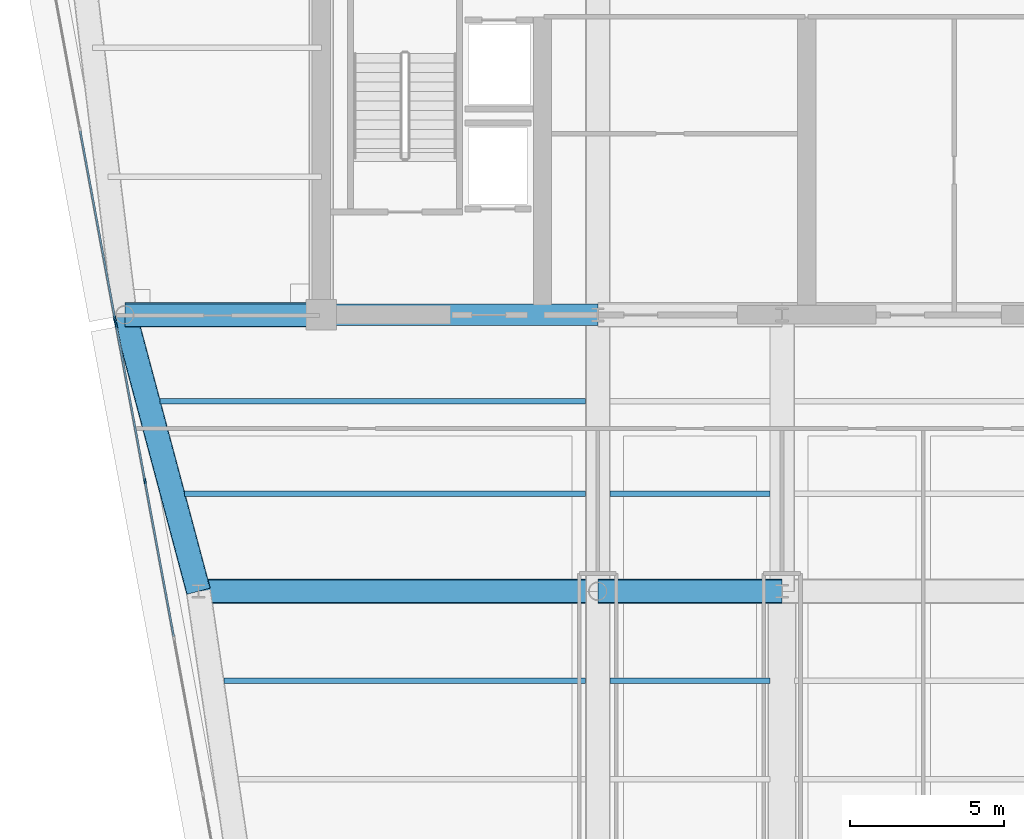
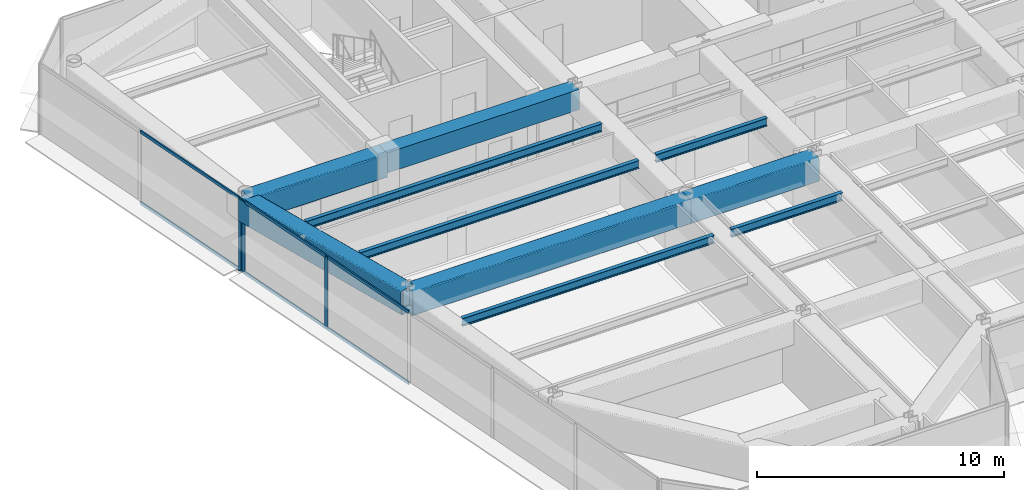
# One storey, part 4 of 17: 10 beams, 9 members, 2 elements without a shape of their own.
"""IFC4 building model written with IfcOpenShell, lengths in metres."""

from ifc_helpers import new_model, si_unit, direction, frame, origin, origin_2d, place, context, subcontext, project, spatial, rectangle, hollow_rectangle, i_section, extrude, source, transform, mapped, material, layer, layer_set, material_profile, profile_set, type_object, element, aggregate, save


model = new_model("IFC4")

# Units and contexts
model_context = context("Model", 3, precision=1e-05, world=origin(), true_north=direction((0.0, 1.0)))
body_context = subcontext(model_context, "Body", "Model", "MODEL_VIEW")
ifc_project = project(units=[si_unit("LENGTHUNIT", "METRE"), si_unit("AREAUNIT", "SQUARE_METRE"), si_unit("VOLUMEUNIT", "CUBIC_METRE"), si_unit("PLANEANGLEUNIT", "RADIAN"), si_unit("MASSUNIT", "GRAM", prefix="KILO")], contexts=[model_context])

# Site, building, storey
site_placement = place(None, origin())
site = spatial("IfcSite", under=ifc_project, at=site_placement, CompositionType="ELEMENT")
building_placement = place(site_placement, origin())
building = spatial("IfcBuilding", under=site, at=building_placement, Name="Vaeldorn Concourse Tower", CompositionType="ELEMENT")
storey_placement = place(building_placement, frame((0.0, 0.0, 234.60009765625)))
storey = spatial("IfcBuildingStorey", under=building, at=storey_placement, Name="L60", CompositionType="ELEMENT", Elevation=234.60009765625)

# Beams
ifc_material_1 = material(Name="Concrete C50/60", Category="concrete")
ifc_material_profile_1 = material_profile(ifc_material_1, rectangle(XDim=0.699951171875, YDim=1.0, at=origin_2d()), Name="RC 700x1000")
ifc_profile_set_1 = profile_set([ifc_material_profile_1], Name="Concrete C50/60")
beam_type_1 = type_object("IfcBeamType", Name="BM-CB-RC700", PredefinedType="BEAM", material=ifc_profile_set_1)
shared_shape_1 = source(origin(), body_context, "Body", "SweptSolid", [
    extrude(rectangle(XDim=0.699951171875, YDim=1.0, at=origin_2d()), origin(), (0.0, 0.0, 1.0), 9.0),
])
beam_1_placement = place(storey_placement, frame((14.0, 36.5, 3.079833984375), z_axis=(1.0, 0.0, 0.0), x_axis=(0.0, 1.0, 0.0)))
element("IfcBeam", 1, at=beam_1_placement, inside=storey, type_object=beam_type_1, Name="Core Coupling Beam L60-1", PredefinedType="BEAM", context=body_context, shape_type="MappedRepresentation", body=[
    mapped(shared_shape_1, transform((0.0, 0.0, 0.0), scale=1.0)),
])
ifc_material_2 = material(Name="Steel S460", Category="steel")
ifc_material_profile_2 = material_profile(ifc_material_2, hollow_rectangle(XDim=0.800048828125, YDim=1.199951171875, WallThickness=0.044921875, InnerFilletRadius=0.044921875, OuterFilletRadius=0.090087890625, at=origin_2d()), Name="RHS 1200x800x45")
ifc_profile_set_2 = profile_set([ifc_material_profile_2], Name="Steel S460")
beam_type_2 = type_object("IfcBeamType", Name="BM-TG-RHS1200", PredefinedType="BEAM", material=ifc_profile_set_2)
shared_shape_2 = source(origin(), body_context, "Body", "SweptSolid", [
    extrude(hollow_rectangle(XDim=0.800048828125, YDim=1.199951171875, WallThickness=0.044921875, InnerFilletRadius=0.044921875, OuterFilletRadius=0.090087890625, at=origin_2d()), origin(), (0.0, 0.0, 1.0), 6.0),
])
beam_2_placement = place(storey_placement, frame((23.0, 27.5, 2.97998046875), z_axis=(1.0, 0.0, 0.0), x_axis=(0.0, 1.0, 0.0)))
element("IfcBeam", 2, at=beam_2_placement, inside=storey, type_object=beam_type_2, Name="Beam BM-L60-C-TW1-C-TW2", PredefinedType="BEAM", context=body_context, shape_type="MappedRepresentation", body=[
    mapped(shared_shape_2, transform((0.0, 0.0, 0.0), scale=1.0)),
])
shared_shape_3 = source(origin(), body_context, "Body", "SweptSolid", [
    extrude(hollow_rectangle(XDim=0.800048828125, YDim=1.199951171875, WallThickness=0.044921875, InnerFilletRadius=0.044921875, OuterFilletRadius=0.090087890625, at=origin_2d()), origin(), (0.0, 0.0, 1.0), 13.0),
])
beam_3_placement = place(storey_placement, frame((10.0, 27.5, 2.97998046875), z_axis=(1.0, 0.0, 0.0), x_axis=(0.0, 1.0, 0.0)))
element("IfcBeam", 3, at=beam_3_placement, inside=storey, type_object=beam_type_2, Name="Beam BM-L60-C-FLW1-C-TW1", PredefinedType="BEAM", context=body_context, shape_type="MappedRepresentation", body=[
    mapped(shared_shape_3, transform((0.0, 0.0, 0.0), scale=1.0)),
])
shared_shape_4 = source(origin(), body_context, "Body", "SweptSolid", [
    extrude(hollow_rectangle(XDim=0.800048828125, YDim=1.199951171875, WallThickness=0.044921875, InnerFilletRadius=0.044921875, OuterFilletRadius=0.090087890625, at=origin_2d()), origin(), (0.0, 0.0, 1.0), 6.39990234375),
])
beam_4_placement = place(storey_placement, frame((7.60009765625, 36.5, 2.97998046875), z_axis=(1.0, 0.0, 0.0), x_axis=(0.0, 1.0, 0.0)))
element("IfcBeam", 4, at=beam_4_placement, inside=storey, type_object=beam_type_2, Name="Beam BM-L60-C-NW2-C-FC1", PredefinedType="BEAM", context=body_context, shape_type="MappedRepresentation", body=[
    mapped(shared_shape_4, transform((0.0, 0.0, 0.0), scale=1.0)),
])
shared_shape_5 = source(origin(), body_context, "Body", "SweptSolid", [
    extrude(hollow_rectangle(XDim=0.800048828125, YDim=1.199951171875, WallThickness=0.044921875, InnerFilletRadius=0.044921875, OuterFilletRadius=0.090087890625, at=origin_2d()), origin(), (0.0, 0.0, 1.0), 9.314453125),
])
beam_5_placement = place(storey_placement, frame((7.60009765625, 36.5, 2.97998046875), z_axis=(0.257652862255, -0.966237549763, 0.0), x_axis=(0.966237549763, 0.257652862255, 0.0)))
element("IfcBeam", 5, at=beam_5_placement, inside=storey, type_object=beam_type_2, Name="Beam BM-L60-C-NW2-C-FLW1", PredefinedType="BEAM", context=body_context, shape_type="MappedRepresentation", body=[
    mapped(shared_shape_5, transform((0.0, 0.0, 0.0), scale=1.0)),
])
ifc_material_3 = material(Name="Steel S355", Category="steel")
ifc_material_profile_3 = material_profile(ifc_material_3, i_section(OverallWidth=0.179931640625, OverallDepth=0.39990234375, WebThickness=0.008544921875, FlangeThickness=0.013427734375, FilletRadius=0.02099609375, at=origin_2d()), Name="IPE 400")
ifc_profile_set_3 = profile_set([ifc_material_profile_3], Name="Steel S355")
beam_type_3 = type_object("IfcBeamType", Name="BM-JS-IPE400", PredefinedType="JOIST", material=ifc_profile_set_3)
shared_shape_6 = source(origin(), body_context, "Body", "SweptSolid", [
    extrude(i_section(OverallWidth=0.179931640625, OverallDepth=0.39990234375, WebThickness=0.008544921875, FlangeThickness=0.013427734375, FilletRadius=0.02099609375, at=origin_2d()), origin(), (0.0, 0.0, 1.0), 5.2001953125),
])
for number, where, z_axis, x_axis, name in (
    (6, (23.39990234375, 24.580078125, 3.3798828125), (1.0, 0.0, 0.0), (0.0, 1.0, 0.0), "Beam JS-L60-W2-245"),
    (7, (23.39990234375, 30.679931640625, 3.3798828125), (1.0, 0.0, 0.0), (0.0, 1.0, 0.0), "Beam JS-L60-W2-306"),
):
    element("IfcBeam", number, at=place(storey_placement, frame(where, z_axis=z_axis, x_axis=x_axis)), inside=storey, type_object=beam_type_3, Name=name, PredefinedType="JOIST", context=body_context, shape_type="MappedRepresentation", body=[
        mapped(shared_shape_6, transform((0.0, 0.0, 0.0), scale=1.0)),
    ])
shared_shape_7 = source(origin(), body_context, "Body", "SweptSolid", [
    extrude(i_section(OverallWidth=0.179931640625, OverallDepth=0.39990234375, WebThickness=0.008544921875, FlangeThickness=0.013427734375, FilletRadius=0.02099609375, at=origin_2d()), origin(), (0.0, 0.0, 1.0), 11.769775390625),
])
beam_6_placement = place(storey_placement, frame((10.830322265625, 24.580078125, 3.3798828125), z_axis=(1.0, 0.0, 0.0), x_axis=(0.0, 1.0, 0.0)))
element("IfcBeam", 8, at=beam_6_placement, inside=storey, type_object=beam_type_3, Name="Beam JS-L60-W1-245", PredefinedType="JOIST", context=body_context, shape_type="MappedRepresentation", body=[
    mapped(shared_shape_7, transform((0.0, 0.0, 0.0), scale=1.0)),
])
shared_shape_8 = source(origin(), body_context, "Body", "SweptSolid", [
    extrude(i_section(OverallWidth=0.179931640625, OverallDepth=0.39990234375, WebThickness=0.008544921875, FlangeThickness=0.013427734375, FilletRadius=0.02099609375, at=origin_2d()), origin(), (0.0, 0.0, 1.0), 13.048095703125),
])
beam_7_placement = place(storey_placement, frame((9.552001953125, 30.679931640625, 3.3798828125), z_axis=(1.0, 0.0, 0.0), x_axis=(0.0, 1.0, 0.0)))
element("IfcBeam", 9, at=beam_7_placement, inside=storey, type_object=beam_type_3, Name="Beam JS-L60-W1-306", PredefinedType="JOIST", context=body_context, shape_type="MappedRepresentation", body=[
    mapped(shared_shape_8, transform((0.0, 0.0, 0.0), scale=1.0)),
])
shared_shape_9 = source(origin(), body_context, "Body", "SweptSolid", [
    extrude(i_section(OverallWidth=0.179931640625, OverallDepth=0.39990234375, WebThickness=0.008544921875, FlangeThickness=0.013427734375, FilletRadius=0.02099609375, at=origin_2d()), origin(), (0.0, 0.0, 1.0), 13.84814453125),
])
beam_8_placement = place(storey_placement, frame((8.751953125, 33.679931640625, 3.3798828125), z_axis=(1.0, 0.0, 0.0), x_axis=(0.0, 1.0, 0.0)))
element("IfcBeam", 10, at=beam_8_placement, inside=storey, type_object=beam_type_3, Name="Beam JS-L60-W1-336", PredefinedType="JOIST", context=body_context, shape_type="MappedRepresentation", body=[
    mapped(shared_shape_9, transform((0.0, 0.0, 0.0), scale=1.0)),
])

# Curtain wall, member
ifc_material_4 = material(Name="Anodised Bronze Aluminium", Category="aluminium")
ifc_layer = layer(ifc_material_4, 0.179931640625)
ifc_layer_set = layer_set([ifc_layer], Name="Anodised Bronze Aluminium")
curtain_wall_type = type_object("IfcCurtainWallType", Name="CW-SYS-05", PredefinedType="NOTDEFINED", material=ifc_layer_set)
curtain_wall_1_placement = place(storey_placement, origin())
curtain_wall_1 = element("IfcCurtainWall", 11, at=curtain_wall_1_placement, inside=storey, type_object=curtain_wall_type, Name="Unitised Curtain Wall CW-L60-E11-1", PredefinedType="NOTDEFINED")
ifc_material_profile_4 = material_profile(ifc_material_4, rectangle(XDim=0.06494140625, YDim=0.169921875, at=origin_2d()), Name="CWM 65x170")
ifc_profile_set_4 = profile_set([ifc_material_profile_4], Name="Anodised Bronze Aluminium")
member_type_1 = type_object("IfcMemberType", Name="CWM-BRONZE-170", PredefinedType="MULLION", material=ifc_profile_set_4)
shared_shape_10 = source(origin(), body_context, "Body", "SweptSolid", [
    extrude(rectangle(XDim=0.06494140625, YDim=0.169921875, at=origin_2d()), origin(), (0.0, 0.0, 1.0), 3.579833984375),
])
member_1_placement = place(storey_placement, frame((7.279052734375, 36.37890625, 0.0), z_axis=(0.0, 0.0, 1.0), x_axis=(0.983319198447, 0.181888300792, 0.0)))
member_1 = element("IfcMember", 12, at=member_1_placement, type_object=member_type_1, Name="CW-05 mullion 3", PredefinedType="MULLION", context=body_context, shape_type="MappedRepresentation", body=[
    mapped(shared_shape_10, transform((0.0, 0.0, 0.0), scale=1.0)),
])

# Curtain wall, members
curtain_wall_2_placement = place(storey_placement, origin())
curtain_wall_2 = element("IfcCurtainWall", 13, at=curtain_wall_2_placement, inside=storey, type_object=curtain_wall_type, Name="Unitised Curtain Wall CW-L60-E11-2", PredefinedType="NOTDEFINED")
member_2_placement = place(storey_placement, frame((7.32080078125, 36.153076171875, 0.0), z_axis=(0.0, 0.0, 1.0), x_axis=(0.98331890588, 0.181889882456, 0.0)))
member_2 = element("IfcMember", 14, at=member_2_placement, type_object=member_type_1, Name="CW-05 mullion 1", PredefinedType="MULLION", context=body_context, shape_type="MappedRepresentation", body=[
    mapped(shared_shape_10, transform((0.0, 0.0, 0.0), scale=1.0)),
])
member_3_placement = place(storey_placement, frame((8.2578125, 31.087890625, 0.0), z_axis=(0.0, 0.0, 1.0), x_axis=(0.98331890588, 0.181889882456, 0.0)))
member_3 = element("IfcMember", 15, at=member_3_placement, type_object=member_type_1, Name="CW-05 mullion 2", PredefinedType="MULLION", context=body_context, shape_type="MappedRepresentation", body=[
    mapped(shared_shape_10, transform((0.0, 0.0, 0.0), scale=1.0)),
])
ifc_material_profile_5 = material_profile(ifc_material_4, rectangle(XDim=0.06494140625, YDim=0.14990234375, at=origin_2d()), Name="CWT 65x150")
ifc_profile_set_5 = profile_set([ifc_material_profile_5], Name="Anodised Bronze Aluminium")
member_type_2 = type_object("IfcMemberType", Name="CWT-BRONZE-150", PredefinedType="USERDEFINED", material=ifc_profile_set_5)
shared_shape_11 = source(origin(), body_context, "Body", "SweptSolid", [
    extrude(rectangle(XDim=0.06494140625, YDim=0.14990234375, at=origin_2d()), origin(), (0.0, 0.0, 1.0), 5.0859375),
])
member_4_placement = place(storey_placement, frame((7.32666015625, 36.12109375, 0.032470703125), z_axis=(0.181879549724, -0.983320817125, 0.0), x_axis=(0.983320817125, 0.181879549724, 0.0)))
member_4 = element("IfcMember", 16, at=member_4_placement, type_object=member_type_2, Name="CW-05 transom 1.1", ObjectType="TRANSOM", PredefinedType="USERDEFINED", context=body_context, shape_type="MappedRepresentation", body=[
    mapped(shared_shape_11, transform((0.0, 0.0, 0.0), scale=1.0)),
])
member_5_placement = place(storey_placement, frame((7.32666015625, 36.12109375, 3.54736328125), z_axis=(0.181879549724, -0.983320817125, 0.0), x_axis=(0.983320817125, 0.181879549724, 0.0)))
member_5 = element("IfcMember", 17, at=member_5_placement, type_object=member_type_2, Name="CW-05 transom 1.2", ObjectType="TRANSOM", PredefinedType="USERDEFINED", context=body_context, shape_type="MappedRepresentation", body=[
    mapped(shared_shape_11, transform((0.0, 0.0, 0.0), scale=1.0)),
])
shared_shape_12 = source(origin(), body_context, "Body", "SweptSolid", [
    extrude(rectangle(XDim=0.06494140625, YDim=0.14990234375, at=origin_2d()), origin(), (0.0, 0.0, 1.0), 5.11865234375),
])
member_6_placement = place(storey_placement, frame((8.263671875, 31.05615234375, 0.032470703125), z_axis=(0.181868925515, -0.983322782169, 0.0), x_axis=(0.983322782169, 0.181868925515, 0.0)))
member_6 = element("IfcMember", 18, at=member_6_placement, type_object=member_type_2, Name="CW-05 transom 2.1", ObjectType="TRANSOM", PredefinedType="USERDEFINED", context=body_context, shape_type="MappedRepresentation", body=[
    mapped(shared_shape_12, transform((0.0, 0.0, 0.0), scale=1.0)),
])
member_7_placement = place(storey_placement, frame((8.263671875, 31.05615234375, 3.54736328125), z_axis=(0.181868925515, -0.983322782169, 0.0), x_axis=(0.983322782169, 0.181868925515, 0.0)))
member_7 = element("IfcMember", 19, at=member_7_placement, type_object=member_type_2, Name="CW-05 transom 2.2", ObjectType="TRANSOM", PredefinedType="USERDEFINED", context=body_context, shape_type="MappedRepresentation", body=[
    mapped(shared_shape_12, transform((0.0, 0.0, 0.0), scale=1.0)),
])
aggregate(curtain_wall_2, [member_2, member_3, member_4, member_5, member_6, member_7])

# Member
shared_shape_13 = source(origin(), body_context, "Body", "SweptSolid", [
    extrude(rectangle(XDim=0.06494140625, YDim=0.14990234375, at=origin_2d()), origin(), (0.0, 0.0, 1.0), 6.183837890625),
])
member_8_placement = place(storey_placement, frame((6.1484375, 42.491455078125, 0.032470703125), z_axis=(0.181889913007, -0.983318900228, 0.0), x_axis=(0.983318900228, 0.181889913007, 0.0)))
member_8 = element("IfcMember", 20, at=member_8_placement, type_object=member_type_2, Name="CW-05 transom 2.1", ObjectType="TRANSOM", PredefinedType="USERDEFINED", context=body_context, shape_type="MappedRepresentation", body=[
    mapped(shared_shape_13, transform((0.0, 0.0, 0.0), scale=1.0)),
])

member_9_placement = place(storey_placement, frame((6.1484375, 42.491455078125, 3.54736328125), z_axis=(0.181889913007, -0.983318900228, 0.0), x_axis=(0.983318900228, 0.181889913007, 0.0)))
member_9 = element("IfcMember", 21, at=member_9_placement, type_object=member_type_2, Name="CW-05 transom 2.2", ObjectType="TRANSOM", PredefinedType="USERDEFINED", context=body_context, shape_type="MappedRepresentation", body=[
    mapped(shared_shape_13, transform((0.0, 0.0, 0.0), scale=1.0)),
])

aggregate(curtain_wall_1, [member_1, member_8, member_9])

save(model, "model.ifc")
